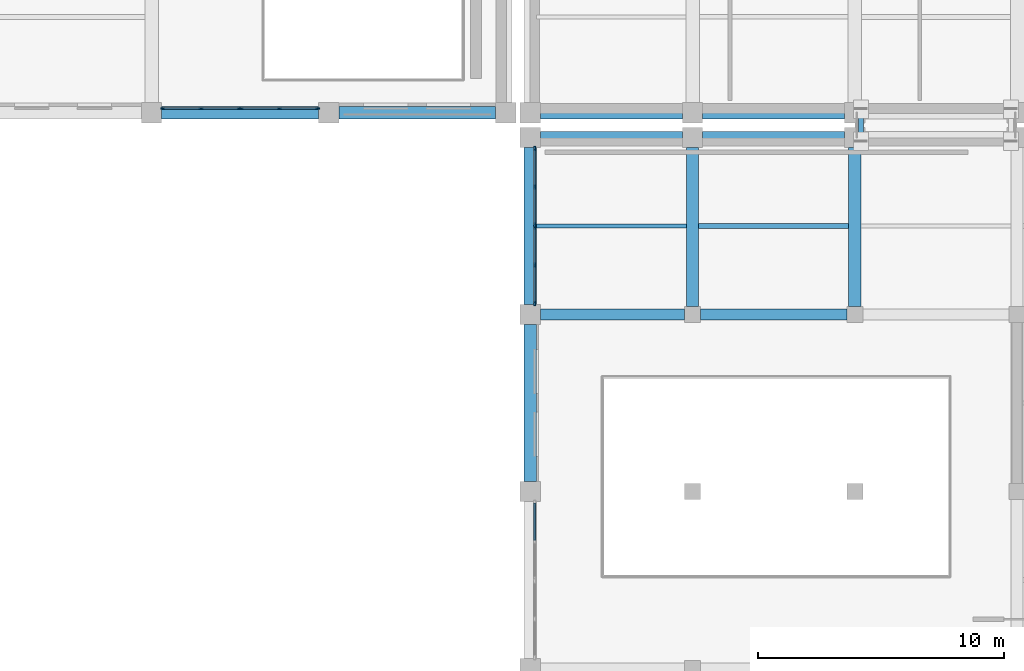
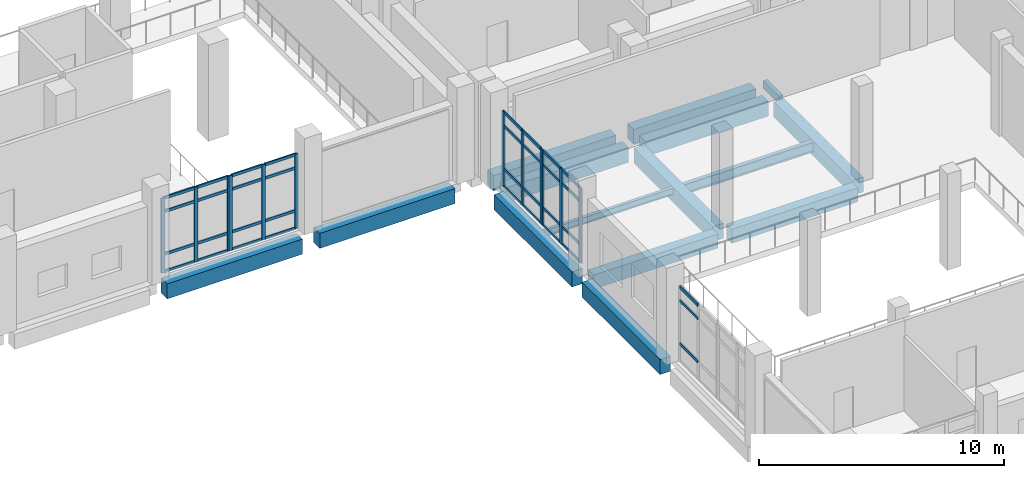
# One storey, part 14 of 90: 47 members, 15 beams, 5 elements without a shape of their own.
"""IFC4 building model written with IfcOpenShell, lengths in metres."""

from ifc_helpers import new_model, si_unit, direction, frame, origin, origin_2d, place, context, subcontext, project, spatial, rectangle, hollow_rectangle, i_section, extrude, material, layer, layer_set, material_profile, profile_set, type_object, element, aggregate, save


model = new_model("IFC4")

# Units and contexts
model_context = context("Model", 3, precision=1e-05, world=origin(), true_north=direction((0.0, 1.0)))
body_context = subcontext(model_context, "Body", "Model", "MODEL_VIEW")
ifc_project = project(units=[si_unit("LENGTHUNIT", "METRE"), si_unit("AREAUNIT", "SQUARE_METRE"), si_unit("VOLUMEUNIT", "CUBIC_METRE"), si_unit("PLANEANGLEUNIT", "RADIAN"), si_unit("MASSUNIT", "GRAM", prefix="KILO")], contexts=[model_context])

# Site, building, storey
site_placement = place(None, origin())
site = spatial("IfcSite", under=ifc_project, at=site_placement, CompositionType="ELEMENT")
building_placement = place(site_placement, origin())
building = spatial("IfcBuilding", under=site, at=building_placement, Name="Kelarvand Opera House", CompositionType="ELEMENT")
storey_placement = place(building_placement, frame((0.0, 0.0, 5.39990234375)))
storey = spatial("IfcBuildingStorey", under=building, at=storey_placement, Name="L01", CompositionType="ELEMENT", Elevation=5.39990234375)

# Curtain wall, members
ifc_material_1 = material(Name="Thermally broken aluminium and low-E glazing", Category="aluminium")
ifc_layer = layer(ifc_material_1, 0.179931640625, Name="Thermally broken aluminium and low-E glazing", Category="aluminium")
ifc_layer_set = layer_set([ifc_layer], Name="Thermally broken aluminium and low-E glazing")
curtain_wall_type = type_object("IfcCurtainWallType", Name="Unitised Low-E Curtain Wall 3176x3730 Mod 1350 CWF-10", PredefinedType="USERDEFINED", material=ifc_layer_set)
curtain_wall_1_placement = place(storey_placement, origin())
curtain_wall_1 = element("IfcCurtainWall", 1, at=curtain_wall_1_placement, inside=storey, type_object=curtain_wall_type, Name="V2 L01 Curtain Wall CWF-10 (35)", ObjectType="UNITISED CURTAIN WALL", PredefinedType="USERDEFINED")
ifc_material_2 = material(Name="Thermally broken anodised aluminium", Category="aluminium")
ifc_material_profile_1 = material_profile(ifc_material_2, rectangle(XDim=0.06494140625, YDim=0.179931640625, at=origin_2d()), Name="ALU MULLION 65x180", Category="aluminium")
ifc_profile_set_1 = profile_set([ifc_material_profile_1], Name="Thermally broken anodised aluminium")
member_type_1 = type_object("IfcMemberType", Name="Curtain Wall Mullion 65x180 Aluminium", PredefinedType="MULLION", material=ifc_profile_set_1)
member_1_placement = place(storey_placement, frame((80.347412109375, 38.97998046875, 0.0), z_axis=(0.0, 0.0, 1.0), x_axis=(0.0, -1.0, 0.0)))
member_1 = element("IfcMember", 2, at=member_1_placement, type_object=member_type_1, Name="CWF-10 mullion 1", PredefinedType="MULLION", context=body_context, shape_type="SweptSolid", body=[
    extrude(rectangle(XDim=0.06494140625, YDim=0.179931640625, at=origin_2d()), origin(), (0.0, 0.0, 1.0), 3.72998046875),
])
member_2_placement = place(storey_placement, frame((78.7919921875, 38.97998046875, 0.0), z_axis=(0.0, 0.0, 1.0), x_axis=(0.0, -1.0, 0.0)))
member_2 = element("IfcMember", 3, at=member_2_placement, type_object=member_type_1, Name="CWF-10 mullion 2", PredefinedType="MULLION", context=body_context, shape_type="SweptSolid", body=[
    extrude(rectangle(XDim=0.06494140625, YDim=0.179931640625, at=origin_2d()), origin(), (0.0, 0.0, 1.0), 3.72998046875),
])
member_3_placement = place(storey_placement, frame((77.236572265625, 38.97998046875, 0.0), z_axis=(0.0, 0.0, 1.0), x_axis=(0.0, -1.0, 0.0)))
member_3 = element("IfcMember", 4, at=member_3_placement, type_object=member_type_1, Name="CWF-10 mullion 3", PredefinedType="MULLION", context=body_context, shape_type="SweptSolid", body=[
    extrude(rectangle(XDim=0.06494140625, YDim=0.179931640625, at=origin_2d()), origin(), (0.0, 0.0, 1.0), 3.72998046875),
])

curtain_wall_2_placement = place(storey_placement, origin())
curtain_wall_2 = element("IfcCurtainWall", 5, at=curtain_wall_2_placement, inside=storey, type_object=curtain_wall_type, Name="V2 L01 Curtain Wall CWF-10 (36)", ObjectType="UNITISED CURTAIN WALL", PredefinedType="USERDEFINED")
member_4_placement = place(storey_placement, frame((77.16748046875, 38.97998046875, 0.0), z_axis=(0.0, 0.0, 1.0), x_axis=(0.0, -1.0, 0.0)))
member_4 = element("IfcMember", 6, at=member_4_placement, type_object=member_type_1, Name="CWF-10 mullion 1", PredefinedType="MULLION", context=body_context, shape_type="SweptSolid", body=[
    extrude(rectangle(XDim=0.06494140625, YDim=0.179931640625, at=origin_2d()), origin(), (0.0, 0.0, 1.0), 3.72998046875),
])
member_5_placement = place(storey_placement, frame((75.610107421875, 38.97998046875, 0.0), z_axis=(0.0, 0.0, 1.0), x_axis=(0.0, -1.0, 0.0)))
member_5 = element("IfcMember", 7, at=member_5_placement, type_object=member_type_1, Name="CWF-10 mullion 2", PredefinedType="MULLION", context=body_context, shape_type="SweptSolid", body=[
    extrude(rectangle(XDim=0.06494140625, YDim=0.179931640625, at=origin_2d()), origin(), (0.0, 0.0, 1.0), 3.72998046875),
])
member_6_placement = place(storey_placement, frame((74.052490234375, 38.97998046875, 0.0), z_axis=(0.0, 0.0, 1.0), x_axis=(0.0, -1.0, 0.0)))
member_6 = element("IfcMember", 8, at=member_6_placement, type_object=member_type_1, Name="CWF-10 mullion 3", PredefinedType="MULLION", context=body_context, shape_type="SweptSolid", body=[
    extrude(rectangle(XDim=0.06494140625, YDim=0.179931640625, at=origin_2d()), origin(), (0.0, 0.0, 1.0), 3.72998046875),
])

curtain_wall_3_placement = place(storey_placement, origin())
curtain_wall_3 = element("IfcCurtainWall", 9, at=curtain_wall_3_placement, inside=storey, type_object=curtain_wall_type, Name="V6 L01 Curtain Wall CWF-10 (211)", ObjectType="UNITISED CURTAIN WALL", PredefinedType="USERDEFINED")
member_7_placement = place(storey_placement, frame((89.179931640625, 31.052490234375, 0.0), z_axis=(0.0, 0.0, 1.0), x_axis=(-1.0, 0.0, 0.0)))
member_7 = element("IfcMember", 10, at=member_7_placement, type_object=member_type_1, Name="CWF-10 mullion 1", PredefinedType="MULLION", context=body_context, shape_type="SweptSolid", body=[
    extrude(rectangle(XDim=0.06494140625, YDim=0.179931640625, at=origin_2d()), origin(), (0.0, 0.0, 1.0), 3.75),
])
member_8_placement = place(storey_placement, frame((89.179931640625, 32.60791015625, 0.0), z_axis=(0.0, 0.0, 1.0), x_axis=(-1.0, 0.0, 0.0)))
member_8 = element("IfcMember", 11, at=member_8_placement, type_object=member_type_1, Name="CWF-10 mullion 2", PredefinedType="MULLION", context=body_context, shape_type="SweptSolid", body=[
    extrude(rectangle(XDim=0.06494140625, YDim=0.179931640625, at=origin_2d()), origin(), (0.0, 0.0, 1.0), 3.75),
])
member_9_placement = place(storey_placement, frame((89.179931640625, 34.16357421875, 0.0), z_axis=(0.0, 0.0, 1.0), x_axis=(-1.0, 0.0, 0.0)))
member_9 = element("IfcMember", 12, at=member_9_placement, type_object=member_type_1, Name="CWF-10 mullion 3", PredefinedType="MULLION", context=body_context, shape_type="SweptSolid", body=[
    extrude(rectangle(XDim=0.06494140625, YDim=0.179931640625, at=origin_2d()), origin(), (0.0, 0.0, 1.0), 3.75),
])

curtain_wall_4_placement = place(storey_placement, origin())
curtain_wall_4 = element("IfcCurtainWall", 13, at=curtain_wall_4_placement, inside=storey, type_object=curtain_wall_type, Name="V6 L01 Curtain Wall CWF-10 (212)", ObjectType="UNITISED CURTAIN WALL", PredefinedType="USERDEFINED")
member_10_placement = place(storey_placement, frame((89.179931640625, 34.232421875, 0.0), z_axis=(0.0, 0.0, 1.0), x_axis=(-1.0, 0.0, 0.0)))
member_10 = element("IfcMember", 14, at=member_10_placement, type_object=member_type_1, Name="CWF-10 mullion 1", PredefinedType="MULLION", context=body_context, shape_type="SweptSolid", body=[
    extrude(rectangle(XDim=0.06494140625, YDim=0.179931640625, at=origin_2d()), origin(), (0.0, 0.0, 1.0), 3.75),
])
member_11_placement = place(storey_placement, frame((89.179931640625, 35.7900390625, 0.0), z_axis=(0.0, 0.0, 1.0), x_axis=(-1.0, 0.0, 0.0)))
member_11 = element("IfcMember", 15, at=member_11_placement, type_object=member_type_1, Name="CWF-10 mullion 2", PredefinedType="MULLION", context=body_context, shape_type="SweptSolid", body=[
    extrude(rectangle(XDim=0.06494140625, YDim=0.179931640625, at=origin_2d()), origin(), (0.0, 0.0, 1.0), 3.75),
])
member_12_placement = place(storey_placement, frame((89.179931640625, 37.347412109375, 0.0), z_axis=(0.0, 0.0, 1.0), x_axis=(-1.0, 0.0, 0.0)))
member_12 = element("IfcMember", 16, at=member_12_placement, type_object=member_type_1, Name="CWF-10 mullion 3", PredefinedType="MULLION", context=body_context, shape_type="SweptSolid", body=[
    extrude(rectangle(XDim=0.06494140625, YDim=0.179931640625, at=origin_2d()), origin(), (0.0, 0.0, 1.0), 3.75),
])

# Member
ifc_material_profile_2 = material_profile(ifc_material_2, rectangle(XDim=0.06494140625, YDim=0.139892578125, at=origin_2d()), Name="ALU TRANSOM 65x140", Category="aluminium")
ifc_profile_set_2 = profile_set([ifc_material_profile_2], Name="Thermally broken anodised aluminium")
member_type_2 = type_object("IfcMemberType", Name="Curtain Wall Transom 65x140 Aluminium", PredefinedType="USERDEFINED", material=ifc_profile_set_2)
member_13_placement = place(storey_placement, frame((80.31494140625, 38.97998046875, 0.03271484375), z_axis=(-1.0, 0.0, 0.0), x_axis=(0.0, -1.0, 0.0)))
member_13 = element("IfcMember", 17, at=member_13_placement, type_object=member_type_2, Name="CWF-10 transom 1.1", ObjectType="TRANSOM", PredefinedType="USERDEFINED", context=body_context, shape_type="SweptSolid", body=[
    extrude(rectangle(XDim=0.06494140625, YDim=0.139892578125, at=origin_2d()), origin(), (0.0, 0.0, 1.0), 1.490478515625),
])

member_14_placement = place(storey_placement, frame((80.31494140625, 38.97998046875, 0.900146484375), z_axis=(-1.0, 0.0, 0.0), x_axis=(0.0, -1.0, 0.0)))
member_14 = element("IfcMember", 18, at=member_14_placement, type_object=member_type_2, Name="CWF-10 transom 1.2", ObjectType="TRANSOM", PredefinedType="USERDEFINED", context=body_context, shape_type="SweptSolid", body=[
    extrude(rectangle(XDim=0.06494140625, YDim=0.139892578125, at=origin_2d()), origin(), (0.0, 0.0, 1.0), 1.490478515625),
])

member_15_placement = place(storey_placement, frame((80.31494140625, 38.97998046875, 3.030029296875), z_axis=(-1.0, 0.0, 0.0), x_axis=(0.0, -1.0, 0.0)))
member_15 = element("IfcMember", 19, at=member_15_placement, type_object=member_type_2, Name="CWF-10 transom 1.3", ObjectType="TRANSOM", PredefinedType="USERDEFINED", context=body_context, shape_type="SweptSolid", body=[
    extrude(rectangle(XDim=0.06494140625, YDim=0.139892578125, at=origin_2d()), origin(), (0.0, 0.0, 1.0), 1.490478515625),
])

member_16_placement = place(storey_placement, frame((80.31494140625, 38.97998046875, 3.697509765625), z_axis=(-1.0, 0.0, 0.0), x_axis=(0.0, -1.0, 0.0)))
member_16 = element("IfcMember", 20, at=member_16_placement, type_object=member_type_2, Name="CWF-10 transom 1.4", ObjectType="TRANSOM", PredefinedType="USERDEFINED", context=body_context, shape_type="SweptSolid", body=[
    extrude(rectangle(XDim=0.06494140625, YDim=0.139892578125, at=origin_2d()), origin(), (0.0, 0.0, 1.0), 1.490478515625),
])

member_17_placement = place(storey_placement, frame((78.759521484375, 38.97998046875, 0.03271484375), z_axis=(-1.0, 0.0, 0.0), x_axis=(0.0, -1.0, 0.0)))
member_17 = element("IfcMember", 21, at=member_17_placement, type_object=member_type_2, Name="CWF-10 transom 2.1", ObjectType="TRANSOM", PredefinedType="USERDEFINED", context=body_context, shape_type="SweptSolid", body=[
    extrude(rectangle(XDim=0.06494140625, YDim=0.139892578125, at=origin_2d()), origin(), (0.0, 0.0, 1.0), 1.490478515625),
])

member_18_placement = place(storey_placement, frame((78.759521484375, 38.97998046875, 0.900146484375), z_axis=(-1.0, 0.0, 0.0), x_axis=(0.0, -1.0, 0.0)))
member_18 = element("IfcMember", 22, at=member_18_placement, type_object=member_type_2, Name="CWF-10 transom 2.2", ObjectType="TRANSOM", PredefinedType="USERDEFINED", context=body_context, shape_type="SweptSolid", body=[
    extrude(rectangle(XDim=0.06494140625, YDim=0.139892578125, at=origin_2d()), origin(), (0.0, 0.0, 1.0), 1.490478515625),
])

member_19_placement = place(storey_placement, frame((78.759521484375, 38.97998046875, 3.030029296875), z_axis=(-1.0, 0.0, 0.0), x_axis=(0.0, -1.0, 0.0)))
member_19 = element("IfcMember", 23, at=member_19_placement, type_object=member_type_2, Name="CWF-10 transom 2.3", ObjectType="TRANSOM", PredefinedType="USERDEFINED", context=body_context, shape_type="SweptSolid", body=[
    extrude(rectangle(XDim=0.06494140625, YDim=0.139892578125, at=origin_2d()), origin(), (0.0, 0.0, 1.0), 1.490478515625),
])

member_20_placement = place(storey_placement, frame((78.759521484375, 38.97998046875, 3.697509765625), z_axis=(-1.0, 0.0, 0.0), x_axis=(0.0, -1.0, 0.0)))
member_20 = element("IfcMember", 24, at=member_20_placement, type_object=member_type_2, Name="CWF-10 transom 2.4", ObjectType="TRANSOM", PredefinedType="USERDEFINED", context=body_context, shape_type="SweptSolid", body=[
    extrude(rectangle(XDim=0.06494140625, YDim=0.139892578125, at=origin_2d()), origin(), (0.0, 0.0, 1.0), 1.490478515625),
])

aggregate(curtain_wall_1, [member_1, member_2, member_3, member_13, member_14, member_15, member_16, member_17, member_18, member_19, member_20])

member_21_placement = place(storey_placement, frame((77.135009765625, 38.97998046875, 0.03271484375), z_axis=(-1.0, 0.0, 0.0), x_axis=(0.0, -1.0, 0.0)))
member_21 = element("IfcMember", 25, at=member_21_placement, type_object=member_type_2, Name="CWF-10 transom 1.1", ObjectType="TRANSOM", PredefinedType="USERDEFINED", context=body_context, shape_type="SweptSolid", body=[
    extrude(rectangle(XDim=0.06494140625, YDim=0.139892578125, at=origin_2d()), origin(), (0.0, 0.0, 1.0), 1.492431640625),
])

member_22_placement = place(storey_placement, frame((77.135009765625, 38.97998046875, 0.900146484375), z_axis=(-1.0, 0.0, 0.0), x_axis=(0.0, -1.0, 0.0)))
member_22 = element("IfcMember", 26, at=member_22_placement, type_object=member_type_2, Name="CWF-10 transom 1.2", ObjectType="TRANSOM", PredefinedType="USERDEFINED", context=body_context, shape_type="SweptSolid", body=[
    extrude(rectangle(XDim=0.06494140625, YDim=0.139892578125, at=origin_2d()), origin(), (0.0, 0.0, 1.0), 1.492431640625),
])

member_23_placement = place(storey_placement, frame((77.135009765625, 38.97998046875, 3.030029296875), z_axis=(-1.0, 0.0, 0.0), x_axis=(0.0, -1.0, 0.0)))
member_23 = element("IfcMember", 27, at=member_23_placement, type_object=member_type_2, Name="CWF-10 transom 1.3", ObjectType="TRANSOM", PredefinedType="USERDEFINED", context=body_context, shape_type="SweptSolid", body=[
    extrude(rectangle(XDim=0.06494140625, YDim=0.139892578125, at=origin_2d()), origin(), (0.0, 0.0, 1.0), 1.492431640625),
])

member_24_placement = place(storey_placement, frame((77.135009765625, 38.97998046875, 3.697509765625), z_axis=(-1.0, 0.0, 0.0), x_axis=(0.0, -1.0, 0.0)))
member_24 = element("IfcMember", 28, at=member_24_placement, type_object=member_type_2, Name="CWF-10 transom 1.4", ObjectType="TRANSOM", PredefinedType="USERDEFINED", context=body_context, shape_type="SweptSolid", body=[
    extrude(rectangle(XDim=0.06494140625, YDim=0.139892578125, at=origin_2d()), origin(), (0.0, 0.0, 1.0), 1.492431640625),
])

member_25_placement = place(storey_placement, frame((75.577392578125, 38.97998046875, 0.03271484375), z_axis=(-1.0, 0.0, 0.0), x_axis=(0.0, -1.0, 0.0)))
member_25 = element("IfcMember", 29, at=member_25_placement, type_object=member_type_2, Name="CWF-10 transom 2.1", ObjectType="TRANSOM", PredefinedType="USERDEFINED", context=body_context, shape_type="SweptSolid", body=[
    extrude(rectangle(XDim=0.06494140625, YDim=0.139892578125, at=origin_2d()), origin(), (0.0, 0.0, 1.0), 1.492431640625),
])

member_26_placement = place(storey_placement, frame((75.577392578125, 38.97998046875, 0.900146484375), z_axis=(-1.0, 0.0, 0.0), x_axis=(0.0, -1.0, 0.0)))
member_26 = element("IfcMember", 30, at=member_26_placement, type_object=member_type_2, Name="CWF-10 transom 2.2", ObjectType="TRANSOM", PredefinedType="USERDEFINED", context=body_context, shape_type="SweptSolid", body=[
    extrude(rectangle(XDim=0.06494140625, YDim=0.139892578125, at=origin_2d()), origin(), (0.0, 0.0, 1.0), 1.492431640625),
])

member_27_placement = place(storey_placement, frame((75.577392578125, 38.97998046875, 3.030029296875), z_axis=(-1.0, 0.0, 0.0), x_axis=(0.0, -1.0, 0.0)))
member_27 = element("IfcMember", 31, at=member_27_placement, type_object=member_type_2, Name="CWF-10 transom 2.3", ObjectType="TRANSOM", PredefinedType="USERDEFINED", context=body_context, shape_type="SweptSolid", body=[
    extrude(rectangle(XDim=0.06494140625, YDim=0.139892578125, at=origin_2d()), origin(), (0.0, 0.0, 1.0), 1.492431640625),
])

member_28_placement = place(storey_placement, frame((75.577392578125, 38.97998046875, 3.697509765625), z_axis=(-1.0, 0.0, 0.0), x_axis=(0.0, -1.0, 0.0)))
member_28 = element("IfcMember", 32, at=member_28_placement, type_object=member_type_2, Name="CWF-10 transom 2.4", ObjectType="TRANSOM", PredefinedType="USERDEFINED", context=body_context, shape_type="SweptSolid", body=[
    extrude(rectangle(XDim=0.06494140625, YDim=0.139892578125, at=origin_2d()), origin(), (0.0, 0.0, 1.0), 1.492431640625),
])

aggregate(curtain_wall_2, [member_4, member_5, member_6, member_21, member_22, member_23, member_24, member_25, member_26, member_27, member_28])

# Curtain wall, members
curtain_wall_5_placement = place(storey_placement, origin())
curtain_wall_5 = element("IfcCurtainWall", 33, at=curtain_wall_5_placement, inside=storey, type_object=curtain_wall_type, Name="V6 L01 Curtain Wall CWF-10 (210)", ObjectType="UNITISED CURTAIN WALL", PredefinedType="USERDEFINED")
member_29_placement = place(storey_placement, frame((89.179931640625, 21.422607421875, 0.900146484375), z_axis=(0.0, 1.0, 0.0), x_axis=(-1.0, 0.0, 0.0)))
member_29 = element("IfcMember", 34, at=member_29_placement, type_object=member_type_2, Name="CWF-10 transom 2.2", ObjectType="TRANSOM", PredefinedType="USERDEFINED", context=body_context, shape_type="SweptSolid", body=[
    extrude(rectangle(XDim=0.06494140625, YDim=0.139892578125, at=origin_2d()), origin(), (0.0, 0.0, 1.0), 1.492431640625),
])
member_30_placement = place(storey_placement, frame((89.179931640625, 21.422607421875, 3.050048828125), z_axis=(0.0, 1.0, 0.0), x_axis=(-1.0, 0.0, 0.0)))
member_30 = element("IfcMember", 35, at=member_30_placement, type_object=member_type_2, Name="CWF-10 transom 2.3", ObjectType="TRANSOM", PredefinedType="USERDEFINED", context=body_context, shape_type="SweptSolid", body=[
    extrude(rectangle(XDim=0.06494140625, YDim=0.139892578125, at=origin_2d()), origin(), (0.0, 0.0, 1.0), 1.492431640625),
])
member_31_placement = place(storey_placement, frame((89.179931640625, 21.422607421875, 3.717529296875), z_axis=(0.0, 1.0, 0.0), x_axis=(-1.0, 0.0, 0.0)))
member_31 = element("IfcMember", 36, at=member_31_placement, type_object=member_type_2, Name="CWF-10 transom 2.4", ObjectType="TRANSOM", PredefinedType="USERDEFINED", context=body_context, shape_type="SweptSolid", body=[
    extrude(rectangle(XDim=0.06494140625, YDim=0.139892578125, at=origin_2d()), origin(), (0.0, 0.0, 1.0), 1.492431640625),
])
aggregate(curtain_wall_5, [member_29, member_30, member_31])

# Member
member_32_placement = place(storey_placement, frame((89.179931640625, 31.0849609375, 0.03271484375), z_axis=(0.0, 1.0, 0.0), x_axis=(-1.0, 0.0, 0.0)))
member_32 = element("IfcMember", 37, at=member_32_placement, type_object=member_type_2, Name="CWF-10 transom 1.1", ObjectType="TRANSOM", PredefinedType="USERDEFINED", context=body_context, shape_type="SweptSolid", body=[
    extrude(rectangle(XDim=0.06494140625, YDim=0.139892578125, at=origin_2d()), origin(), (0.0, 0.0, 1.0), 1.490478515625),
])

member_33_placement = place(storey_placement, frame((89.179931640625, 31.0849609375, 0.900146484375), z_axis=(0.0, 1.0, 0.0), x_axis=(-1.0, 0.0, 0.0)))
member_33 = element("IfcMember", 38, at=member_33_placement, type_object=member_type_2, Name="CWF-10 transom 1.2", ObjectType="TRANSOM", PredefinedType="USERDEFINED", context=body_context, shape_type="SweptSolid", body=[
    extrude(rectangle(XDim=0.06494140625, YDim=0.139892578125, at=origin_2d()), origin(), (0.0, 0.0, 1.0), 1.490478515625),
])

member_34_placement = place(storey_placement, frame((89.179931640625, 31.0849609375, 3.050048828125), z_axis=(0.0, 1.0, 0.0), x_axis=(-1.0, 0.0, 0.0)))
member_34 = element("IfcMember", 39, at=member_34_placement, type_object=member_type_2, Name="CWF-10 transom 1.3", ObjectType="TRANSOM", PredefinedType="USERDEFINED", context=body_context, shape_type="SweptSolid", body=[
    extrude(rectangle(XDim=0.06494140625, YDim=0.139892578125, at=origin_2d()), origin(), (0.0, 0.0, 1.0), 1.490478515625),
])

member_35_placement = place(storey_placement, frame((89.179931640625, 31.0849609375, 3.717529296875), z_axis=(0.0, 1.0, 0.0), x_axis=(-1.0, 0.0, 0.0)))
member_35 = element("IfcMember", 40, at=member_35_placement, type_object=member_type_2, Name="CWF-10 transom 1.4", ObjectType="TRANSOM", PredefinedType="USERDEFINED", context=body_context, shape_type="SweptSolid", body=[
    extrude(rectangle(XDim=0.06494140625, YDim=0.139892578125, at=origin_2d()), origin(), (0.0, 0.0, 1.0), 1.490478515625),
])

member_36_placement = place(storey_placement, frame((89.179931640625, 32.640380859375, 0.03271484375), z_axis=(0.0, 1.0, 0.0), x_axis=(-1.0, 0.0, 0.0)))
member_36 = element("IfcMember", 41, at=member_36_placement, type_object=member_type_2, Name="CWF-10 transom 2.1", ObjectType="TRANSOM", PredefinedType="USERDEFINED", context=body_context, shape_type="SweptSolid", body=[
    extrude(rectangle(XDim=0.06494140625, YDim=0.139892578125, at=origin_2d()), origin(), (0.0, 0.0, 1.0), 1.49072265625),
])

member_37_placement = place(storey_placement, frame((89.179931640625, 32.640380859375, 0.900146484375), z_axis=(0.0, 1.0, 0.0), x_axis=(-1.0, 0.0, 0.0)))
member_37 = element("IfcMember", 42, at=member_37_placement, type_object=member_type_2, Name="CWF-10 transom 2.2", ObjectType="TRANSOM", PredefinedType="USERDEFINED", context=body_context, shape_type="SweptSolid", body=[
    extrude(rectangle(XDim=0.06494140625, YDim=0.139892578125, at=origin_2d()), origin(), (0.0, 0.0, 1.0), 1.49072265625),
])

member_38_placement = place(storey_placement, frame((89.179931640625, 32.640380859375, 3.050048828125), z_axis=(0.0, 1.0, 0.0), x_axis=(-1.0, 0.0, 0.0)))
member_38 = element("IfcMember", 43, at=member_38_placement, type_object=member_type_2, Name="CWF-10 transom 2.3", ObjectType="TRANSOM", PredefinedType="USERDEFINED", context=body_context, shape_type="SweptSolid", body=[
    extrude(rectangle(XDim=0.06494140625, YDim=0.139892578125, at=origin_2d()), origin(), (0.0, 0.0, 1.0), 1.49072265625),
])

member_39_placement = place(storey_placement, frame((89.179931640625, 32.640380859375, 3.717529296875), z_axis=(0.0, 1.0, 0.0), x_axis=(-1.0, 0.0, 0.0)))
member_39 = element("IfcMember", 44, at=member_39_placement, type_object=member_type_2, Name="CWF-10 transom 2.4", ObjectType="TRANSOM", PredefinedType="USERDEFINED", context=body_context, shape_type="SweptSolid", body=[
    extrude(rectangle(XDim=0.06494140625, YDim=0.139892578125, at=origin_2d()), origin(), (0.0, 0.0, 1.0), 1.49072265625),
])

aggregate(curtain_wall_3, [member_7, member_8, member_9, member_32, member_33, member_34, member_35, member_36, member_37, member_38, member_39])

member_40_placement = place(storey_placement, frame((89.179931640625, 34.264892578125, 0.03271484375), z_axis=(0.0, 1.0, 0.0), x_axis=(-1.0, 0.0, 0.0)))
member_40 = element("IfcMember", 45, at=member_40_placement, type_object=member_type_2, Name="CWF-10 transom 1.1", ObjectType="TRANSOM", PredefinedType="USERDEFINED", context=body_context, shape_type="SweptSolid", body=[
    extrude(rectangle(XDim=0.06494140625, YDim=0.139892578125, at=origin_2d()), origin(), (0.0, 0.0, 1.0), 1.49267578125),
])

member_41_placement = place(storey_placement, frame((89.179931640625, 34.264892578125, 0.900146484375), z_axis=(0.0, 1.0, 0.0), x_axis=(-1.0, 0.0, 0.0)))
member_41 = element("IfcMember", 46, at=member_41_placement, type_object=member_type_2, Name="CWF-10 transom 1.2", ObjectType="TRANSOM", PredefinedType="USERDEFINED", context=body_context, shape_type="SweptSolid", body=[
    extrude(rectangle(XDim=0.06494140625, YDim=0.139892578125, at=origin_2d()), origin(), (0.0, 0.0, 1.0), 1.49267578125),
])

member_42_placement = place(storey_placement, frame((89.179931640625, 34.264892578125, 3.050048828125), z_axis=(0.0, 1.0, 0.0), x_axis=(-1.0, 0.0, 0.0)))
member_42 = element("IfcMember", 47, at=member_42_placement, type_object=member_type_2, Name="CWF-10 transom 1.3", ObjectType="TRANSOM", PredefinedType="USERDEFINED", context=body_context, shape_type="SweptSolid", body=[
    extrude(rectangle(XDim=0.06494140625, YDim=0.139892578125, at=origin_2d()), origin(), (0.0, 0.0, 1.0), 1.49267578125),
])

member_43_placement = place(storey_placement, frame((89.179931640625, 34.264892578125, 3.717529296875), z_axis=(0.0, 1.0, 0.0), x_axis=(-1.0, 0.0, 0.0)))
member_43 = element("IfcMember", 48, at=member_43_placement, type_object=member_type_2, Name="CWF-10 transom 1.4", ObjectType="TRANSOM", PredefinedType="USERDEFINED", context=body_context, shape_type="SweptSolid", body=[
    extrude(rectangle(XDim=0.06494140625, YDim=0.139892578125, at=origin_2d()), origin(), (0.0, 0.0, 1.0), 1.49267578125),
])

member_44_placement = place(storey_placement, frame((89.179931640625, 35.822509765625, 0.03271484375), z_axis=(0.0, 1.0, 0.0), x_axis=(-1.0, 0.0, 0.0)))
member_44 = element("IfcMember", 49, at=member_44_placement, type_object=member_type_2, Name="CWF-10 transom 2.1", ObjectType="TRANSOM", PredefinedType="USERDEFINED", context=body_context, shape_type="SweptSolid", body=[
    extrude(rectangle(XDim=0.06494140625, YDim=0.139892578125, at=origin_2d()), origin(), (0.0, 0.0, 1.0), 1.492431640625),
])

member_45_placement = place(storey_placement, frame((89.179931640625, 35.822509765625, 0.900146484375), z_axis=(0.0, 1.0, 0.0), x_axis=(-1.0, 0.0, 0.0)))
member_45 = element("IfcMember", 50, at=member_45_placement, type_object=member_type_2, Name="CWF-10 transom 2.2", ObjectType="TRANSOM", PredefinedType="USERDEFINED", context=body_context, shape_type="SweptSolid", body=[
    extrude(rectangle(XDim=0.06494140625, YDim=0.139892578125, at=origin_2d()), origin(), (0.0, 0.0, 1.0), 1.492431640625),
])

member_46_placement = place(storey_placement, frame((89.179931640625, 35.822509765625, 3.050048828125), z_axis=(0.0, 1.0, 0.0), x_axis=(-1.0, 0.0, 0.0)))
member_46 = element("IfcMember", 51, at=member_46_placement, type_object=member_type_2, Name="CWF-10 transom 2.3", ObjectType="TRANSOM", PredefinedType="USERDEFINED", context=body_context, shape_type="SweptSolid", body=[
    extrude(rectangle(XDim=0.06494140625, YDim=0.139892578125, at=origin_2d()), origin(), (0.0, 0.0, 1.0), 1.492431640625),
])

member_47_placement = place(storey_placement, frame((89.179931640625, 35.822509765625, 3.717529296875), z_axis=(0.0, 1.0, 0.0), x_axis=(-1.0, 0.0, 0.0)))
member_47 = element("IfcMember", 52, at=member_47_placement, type_object=member_type_2, Name="CWF-10 transom 2.4", ObjectType="TRANSOM", PredefinedType="USERDEFINED", context=body_context, shape_type="SweptSolid", body=[
    extrude(rectangle(XDim=0.06494140625, YDim=0.139892578125, at=origin_2d()), origin(), (0.0, 0.0, 1.0), 1.492431640625),
])

aggregate(curtain_wall_4, [member_10, member_11, member_12, member_40, member_41, member_42, member_43, member_44, member_45, member_46, member_47])

# Beams
ifc_material_3 = material(Name="Concrete C40/50", Category="concrete")
ifc_material_profile_3 = material_profile(ifc_material_3, rectangle(XDim=0.449951171875, YDim=0.699951171875, at=origin_2d()), Name="RC 450x700", Category="concrete")
ifc_profile_set_3 = profile_set([ifc_material_profile_3], Name="Concrete C40/50")
beam_type_1 = type_object("IfcBeamType", Name="Structural Beam RC 450x700 BM-RC450x700", PredefinedType="BEAM", material=ifc_profile_set_3)
beam_1_placement = place(storey_placement, frame((89.409912109375, 30.60009765625, -0.64990234375), z_axis=(1.0, 0.0, 0.0), x_axis=(0.0, 1.0, 0.0)))
element("IfcBeam", 53, at=beam_1_placement, inside=storey, type_object=beam_type_1, Name="V6 L01 Beam BM-RC450x700", PredefinedType="BEAM", context=body_context, shape_type="SweptSolid", body=[
    extrude(rectangle(XDim=0.449951171875, YDim=0.699951171875, at=origin_2d()), origin(), (0.0, 0.0, 1.0), 5.864990234375),
])
beam_2_placement = place(storey_placement, frame((95.925048828125, 30.60009765625, -0.64990234375), z_axis=(1.0, 0.0, 0.0), x_axis=(0.0, 1.0, 0.0)))
element("IfcBeam", 54, at=beam_2_placement, inside=storey, type_object=beam_type_1, Name="V6 L01 Beam BM-RC450x700", PredefinedType="BEAM", context=body_context, shape_type="SweptSolid", body=[
    extrude(rectangle(XDim=0.449951171875, YDim=0.699951171875, at=origin_2d()), origin(), (0.0, 0.0, 1.0), 5.949951171875),
])
ifc_material_profile_4 = material_profile(ifc_material_3, rectangle(XDim=0.5, YDim=0.75, at=origin_2d()), Name="RC 500x750", Category="concrete")
ifc_profile_set_4 = profile_set([ifc_material_profile_4], Name="Concrete C40/50")
beam_type_2 = type_object("IfcBeamType", Name="Structural Beam RC 500x750 BM-RC500x750", PredefinedType="BEAM", material=ifc_profile_set_4)
for number, where, z_axis, x_axis, name in (
    (55, (95.60009765625, 30.925048828125, -0.6748046875), (0.0, 1.0, 0.0), (-1.0, 0.0, 0.0), "V6 L01 Beam BM-RC500x750"),
    (56, (102.199951171875, 30.925048828125, -0.6748046875), (0.0, 1.0, 0.0), (-1.0, 0.0, 0.0), "V6 L01 Beam BM-RC500x750"),
):
    element("IfcBeam", number, at=place(storey_placement, frame(where, z_axis=z_axis, x_axis=x_axis)), inside=storey, type_object=beam_type_2, Name=name, PredefinedType="BEAM", context=body_context, shape_type="SweptSolid", body=[
        extrude(rectangle(XDim=0.5, YDim=0.75, at=origin_2d()), origin(), (0.0, 0.0, 1.0), 6.46484375),
    ])
ifc_material_4 = material(Name="Steel S355", Category="steel")
ifc_material_profile_5 = material_profile(ifc_material_4, hollow_rectangle(XDim=0.199951171875, YDim=0.39990234375, WallThickness=0.01611328125, at=origin_2d()), Name="RHS 400x200x16.0", Category="steel")
ifc_profile_set_5 = profile_set([ifc_material_profile_5], Name="Steel S355")
beam_type_3 = type_object("IfcBeamType", Name="Structural Beam RHS 400x200x16.0 BM-RHS400", PredefinedType="BEAM", material=ifc_profile_set_5)
beam_3_placement = place(storey_placement, frame((102.449951171875, 37.64990234375, -0.52001953125), z_axis=(0.0, 1.0, 0.0), x_axis=(-1.0, 0.0, 0.0)))
element("IfcBeam", 57, at=beam_3_placement, inside=storey, type_object=beam_type_3, Name="Seismic Sliding Corbel Beam BR-JS-E L01 1", PredefinedType="BEAM", context=body_context, shape_type="SweptSolid", body=[
    extrude(hollow_rectangle(XDim=0.199951171875, YDim=0.39990234375, WallThickness=0.01611328125, at=origin_2d()), origin(), (0.0, 0.0, 1.0), 1.300048828125),
])
ifc_material_profile_6 = material_profile(ifc_material_4, i_section(OverallWidth=0.159912109375, OverallDepth=0.330078125, WebThickness=0.007568359375, FlangeThickness=0.011474609375, at=origin_2d()), Name="IPE 330", Category="steel")
ifc_profile_set_6 = profile_set([ifc_material_profile_6], Name="Steel S355")
beam_type_4 = type_object("IfcBeamType", Name="Structural Joist IPE 330 JS-IPE330", PredefinedType="JOIST", material=ifc_profile_set_6)
beam_4_placement = place(storey_placement, frame((89.25, 34.199951171875, -0.46484375), z_axis=(1.0, 0.0, 0.0), x_axis=(0.0, 1.0, 0.0)))
element("IfcBeam", 58, at=beam_4_placement, inside=storey, type_object=beam_type_4, Name="V6 L01 Beam JS-IPE330", PredefinedType="JOIST", context=body_context, shape_type="SweptSolid", body=[
    extrude(i_section(OverallWidth=0.159912109375, OverallDepth=0.330078125, WebThickness=0.007568359375, FlangeThickness=0.011474609375, at=origin_2d()), origin(), (0.0, 0.0, 1.0), 6.10009765625),
])
ifc_material_profile_7 = material_profile(ifc_material_4, i_section(OverallWidth=0.199951171875, OverallDepth=0.5, WebThickness=0.01025390625, FlangeThickness=0.01611328125, at=origin_2d()), Name="IPE 500", Category="steel")
ifc_profile_set_7 = profile_set([ifc_material_profile_7], Name="Steel S355")
beam_type_5 = type_object("IfcBeamType", Name="Structural Joist IPE 500 JS-IPE500", PredefinedType="JOIST", material=ifc_profile_set_7)
beam_5_placement = place(storey_placement, frame((95.85009765625, 34.199951171875, -0.5498046875), z_axis=(1.0, 0.0, 0.0), x_axis=(0.0, 1.0, 0.0)))
element("IfcBeam", 59, at=beam_5_placement, inside=storey, type_object=beam_type_5, Name="V6 L01 Beam JS-IPE500", PredefinedType="JOIST", context=body_context, shape_type="SweptSolid", body=[
    extrude(i_section(OverallWidth=0.199951171875, OverallDepth=0.5, WebThickness=0.01025390625, FlangeThickness=0.01611328125, at=origin_2d()), origin(), (0.0, 0.0, 1.0), 6.099853515625),
])
ifc_material_profile_8 = material_profile(ifc_material_3, rectangle(XDim=0.5, YDim=0.75, at=origin_2d()), Name="RC 500x750", Category="concrete")
ifc_profile_set_8 = profile_set([ifc_material_profile_8], Name="Concrete C40/50")
beam_type_6 = type_object("IfcBeamType", Name="Structural Spandrel RC 500x750 SP-RC500x750E", PredefinedType="SPANDREL", material=ifc_profile_set_8)
for number, where, z_axis, x_axis, name in (
    (60, (89.409912109375, 38.800048828125, -0.6748046875), (1.0, 0.0, 0.0), (0.0, 1.0, 0.0), "V1 L01 Beam SP-RC500x750E"),
    (61, (96.010009765625, 38.800048828125, -0.6748046875), (1.0, 0.0, 0.0), (0.0, 1.0, 0.0), "V1 L01 Beam SP-RC500x750E"),
):
    element("IfcBeam", number, at=place(storey_placement, frame(where, z_axis=z_axis, x_axis=x_axis)), inside=storey, type_object=beam_type_6, Name=name, PredefinedType="SPANDREL", context=body_context, shape_type="SweptSolid", body=[
        extrude(rectangle(XDim=0.5, YDim=0.75, at=origin_2d()), origin(), (0.0, 0.0, 1.0), 5.780029296875),
    ])
beam_6_placement = place(storey_placement, frame((74.010009765625, 38.800048828125, -0.6748046875), z_axis=(1.0, 0.0, 0.0), x_axis=(0.0, 1.0, 0.0)))
element("IfcBeam", 62, at=beam_6_placement, inside=storey, type_object=beam_type_6, Name="V2 L01 Beam SP-RC500x750E", PredefinedType="SPANDREL", context=body_context, shape_type="SweptSolid", body=[
    extrude(rectangle(XDim=0.5, YDim=0.75, at=origin_2d()), origin(), (0.0, 0.0, 1.0), 6.3798828125),
])
beam_7_placement = place(storey_placement, frame((81.2099609375, 38.800048828125, -0.6748046875), z_axis=(1.0, 0.0, 0.0), x_axis=(0.0, 1.0, 0.0)))
element("IfcBeam", 63, at=beam_7_placement, inside=storey, type_object=beam_type_6, Name="V2 L01 Beam SP-RC500x750E", PredefinedType="SPANDREL", context=body_context, shape_type="SweptSolid", body=[
    extrude(rectangle(XDim=0.5, YDim=0.75, at=origin_2d()), origin(), (0.0, 0.0, 1.0), 6.380126953125),
])
for number, where, z_axis, x_axis, name in (
    (64, (89.409912109375, 37.800048828125, -0.6748046875), (1.0, 0.0, 0.0), (0.0, 1.0, 0.0), "V6 L01 Beam SP-RC500x750E"),
    (65, (96.010009765625, 37.800048828125, -0.6748046875), (1.0, 0.0, 0.0), (0.0, 1.0, 0.0), "V6 L01 Beam SP-RC500x750E"),
):
    element("IfcBeam", number, at=place(storey_placement, frame(where, z_axis=z_axis, x_axis=x_axis)), inside=storey, type_object=beam_type_6, Name=name, PredefinedType="SPANDREL", context=body_context, shape_type="SweptSolid", body=[
        extrude(rectangle(XDim=0.5, YDim=0.75, at=origin_2d()), origin(), (0.0, 0.0, 1.0), 5.780029296875),
    ])
for number, where, z_axis, x_axis, name in (
    (66, (89.0, 23.81005859375, -0.6748046875), (0.0, 1.0, 0.0), (-1.0, 0.0, 0.0), "V6 L01 Beam SP-RC500x750E"),
    (67, (89.0, 31.010009765625, -0.6748046875), (0.0, 1.0, 0.0), (-1.0, 0.0, 0.0), "V6 L01 Beam SP-RC500x750E"),
):
    element("IfcBeam", number, at=place(storey_placement, frame(where, z_axis=z_axis, x_axis=x_axis)), inside=storey, type_object=beam_type_6, Name=name, PredefinedType="SPANDREL", context=body_context, shape_type="SweptSolid", body=[
        extrude(rectangle(XDim=0.5, YDim=0.75, at=origin_2d()), origin(), (0.0, 0.0, 1.0), 6.3798828125),
    ])

save(model, "model.ifc")
